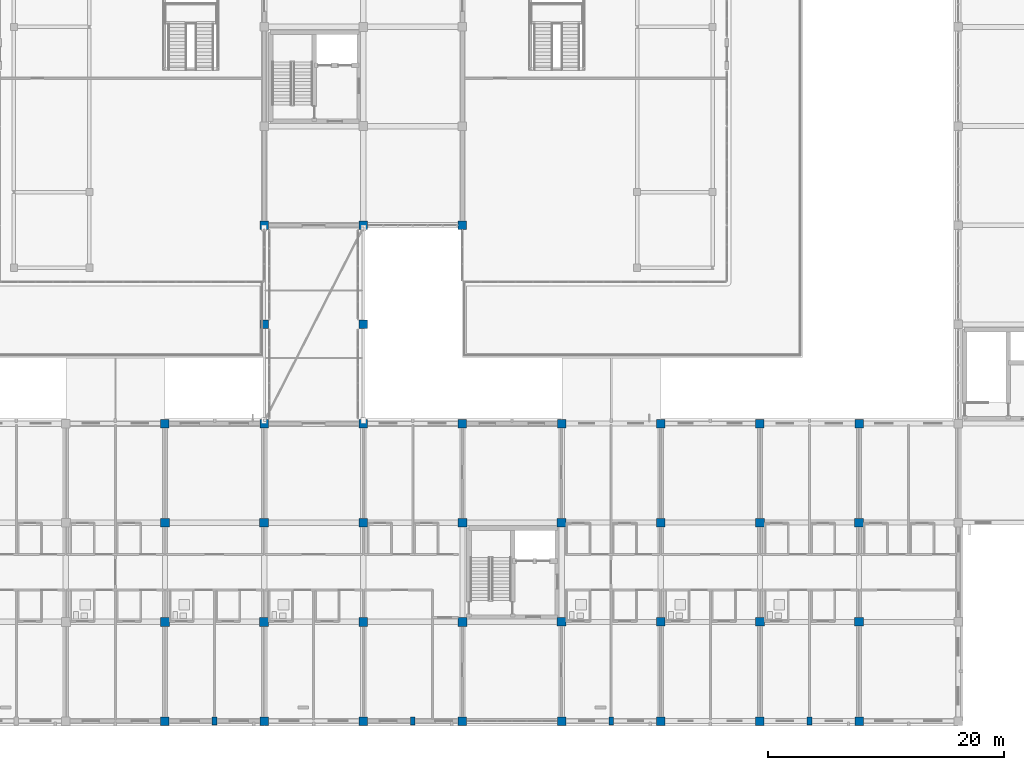
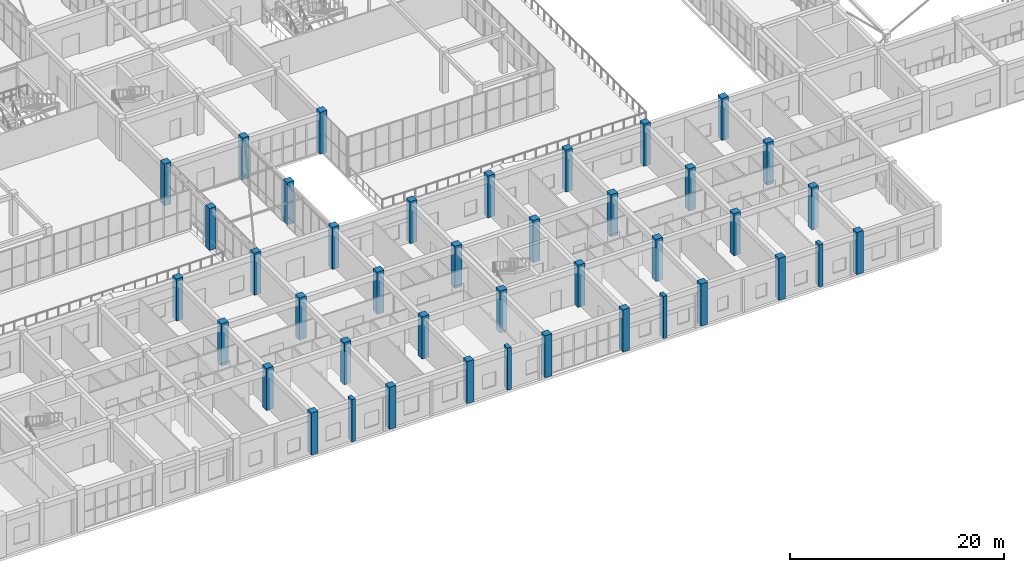
# One storey, part 3 of 158: 41 columns.
"""IFC4 building model written with IfcOpenShell, lengths in metres."""

from ifc_helpers import new_model, si_unit, direction, frame, origin, origin_2d, place, context, subcontext, project, spatial, rectangle, extrude, material, material_profile, profile_set, type_object, element, save


model = new_model("IFC4")

# Units and contexts
model_context = context("Model", 3, precision=1e-05, world=origin(), true_north=direction((0.0, 1.0)))
body_context = subcontext(model_context, "Body", "Model", "MODEL_VIEW")
ifc_project = project(units=[si_unit("LENGTHUNIT", "METRE"), si_unit("AREAUNIT", "SQUARE_METRE"), si_unit("VOLUMEUNIT", "CUBIC_METRE"), si_unit("PLANEANGLEUNIT", "RADIAN"), si_unit("MASSUNIT", "GRAM", prefix="KILO")], contexts=[model_context])

# Site, building, storey
site_placement = place(None, origin())
site = spatial("IfcSite", under=ifc_project, at=site_placement, CompositionType="ELEMENT")
building_placement = place(site_placement, origin())
building = spatial("IfcBuilding", under=site, at=building_placement, Name="Trelvath General Hospital", CompositionType="ELEMENT")
storey_placement = place(building_placement, frame((0.0, 0.0, 8.10009765625)))
storey = spatial("IfcBuildingStorey", under=building, at=storey_placement, Name="L02", CompositionType="ELEMENT", Elevation=8.10009765625)

# Columns
ifc_material_1 = material(Name="Concrete C40/50", Category="concrete")
ifc_material_profile_1 = material_profile(ifc_material_1, rectangle(XDim=0.719970703125, YDim=0.719970703125, at=origin_2d()), Name="RC720x720")
ifc_profile_set_1 = profile_set([ifc_material_profile_1], Name="Concrete C40/50")
column_type_1 = type_object("IfcColumnType", Name="Column RC720", PredefinedType="COLUMN", material=ifc_profile_set_1)
for number, where, z_axis, x_axis, name in (
    (1, (67.199951171875, 0.0, 0.0), (0.0, 0.0, 1.0), (1.0, 0.0, 0.0), "Column C-9A L02"),
    (2, (67.199951171875, 25.199951171875, 0.0), (0.0, 0.0, 1.0), (1.0, 0.0, 0.0), "Column C-9D L02"),
    (3, (75.60009765625, 0.0, 0.0), (0.0, 0.0, 1.0), (1.0, 0.0, 0.0), "Column C-10A L02"),
    (4, (75.60009765625, 25.199951171875, 0.0), (0.0, 0.0, 1.0), (1.0, 0.0, 0.0), "Column C-10D L02"),
    (5, (75.60009765625, 33.60009765625, 0.0), (0.0, 0.0, 1.0), (1.0, 0.0, 0.0), "Column C-10E L02"),
    (6, (75.60009765625, 42.0, 0.0), (0.0, 0.0, 1.0), (1.0, 0.0, 0.0), "Column C-10F L02"),
    (7, (84.0, 0.0, 0.0), (0.0, 0.0, 1.0), (1.0, 0.0, 0.0), "Column C-11A L02"),
    (8, (84.0, 25.199951171875, 0.0), (0.0, 0.0, 1.0), (1.0, 0.0, 0.0), "Column C-11D L02"),
    (9, (84.0, 33.60009765625, 0.0), (0.0, 0.0, 1.0), (1.0, 0.0, 0.0), "Column C-11E L02"),
    (10, (84.0, 42.0, 0.0), (0.0, 0.0, 1.0), (1.0, 0.0, 0.0), "Column C-11F L02"),
    (11, (92.39990234375, 0.0, 0.0), (0.0, 0.0, 1.0), (1.0, 0.0, 0.0), "Column C-12A L02"),
    (12, (92.39990234375, 25.199951171875, 0.0), (0.0, 0.0, 1.0), (1.0, 0.0, 0.0), "Column C-12D L02"),
    (13, (92.39990234375, 42.0, 0.0), (0.0, 0.0, 1.0), (1.0, 0.0, 0.0), "Column C-12F L02"),
    (14, (100.800048828125, 0.0, 0.0), (0.0, 0.0, 1.0), (1.0, 0.0, 0.0), "Column C-13A L02"),
    (15, (100.800048828125, 25.199951171875, 0.0), (0.0, 0.0, 1.0), (1.0, 0.0, 0.0), "Column C-13D L02"),
    (16, (109.199951171875, 0.0, 0.0), (0.0, 0.0, 1.0), (1.0, 0.0, 0.0), "Column C-14A L02"),
    (17, (109.199951171875, 25.199951171875, 0.0), (0.0, 0.0, 1.0), (1.0, 0.0, 0.0), "Column C-14D L02"),
    (18, (117.60009765625, 0.0, 0.0), (0.0, 0.0, 1.0), (1.0, 0.0, 0.0), "Column C-15A L02"),
    (19, (117.60009765625, 25.199951171875, 0.0), (0.0, 0.0, 1.0), (1.0, 0.0, 0.0), "Column C-15D L02"),
    (20, (126.0, 0.0, 0.0), (0.0, 0.0, 1.0), (1.0, 0.0, 0.0), "Column C-16A L02"),
    (21, (126.0, 25.199951171875, 0.0), (0.0, 0.0, 1.0), (1.0, 0.0, 0.0), "Column C-16D L02"),
):
    element("IfcColumn", number, at=place(storey_placement, frame(where, z_axis=z_axis, x_axis=x_axis)), inside=storey, type_object=column_type_1, Name=name, PredefinedType="COLUMN", context=body_context, shape_type="SweptSolid", body=[
        extrude(rectangle(XDim=0.719970703125, YDim=0.719970703125, at=origin_2d()), origin(), (0.0, 0.0, 1.0), 4.7998046875),
    ])
ifc_material_2 = material(Name="Concrete C40/50", Category="concrete")
ifc_material_profile_2 = material_profile(ifc_material_2, rectangle(XDim=0.739990234375, YDim=0.739990234375, at=origin_2d()), Name="RC740x740")
ifc_profile_set_2 = profile_set([ifc_material_profile_2], Name="Concrete C40/50")
column_type_2 = type_object("IfcColumnType", Name="Column RC740", PredefinedType="COLUMN", material=ifc_profile_set_2)
for number, where, z_axis, x_axis, name in (
    (22, (100.800048828125, 8.39990234375, 0.0), (0.0, 0.0, 1.0), (1.0, 0.0, 0.0), "Column C-13B L02"),
    (23, (100.800048828125, 16.800048828125, 0.0), (0.0, 0.0, 1.0), (1.0, 0.0, 0.0), "Column C-13C L02"),
    (24, (109.199951171875, 8.39990234375, 0.0), (0.0, 0.0, 1.0), (1.0, 0.0, 0.0), "Column C-14B L02"),
    (25, (109.199951171875, 16.800048828125, 0.0), (0.0, 0.0, 1.0), (1.0, 0.0, 0.0), "Column C-14C L02"),
    (26, (117.60009765625, 8.39990234375, 0.0), (0.0, 0.0, 1.0), (1.0, 0.0, 0.0), "Column C-15B L02"),
    (27, (117.60009765625, 16.800048828125, 0.0), (0.0, 0.0, 1.0), (1.0, 0.0, 0.0), "Column C-15C L02"),
    (28, (126.0, 8.39990234375, 0.0), (0.0, 0.0, 1.0), (1.0, 0.0, 0.0), "Column C-16B L02"),
    (29, (126.0, 16.800048828125, 0.0), (0.0, 0.0, 1.0), (1.0, 0.0, 0.0), "Column C-16C L02"),
):
    element("IfcColumn", number, at=place(storey_placement, frame(where, z_axis=z_axis, x_axis=x_axis)), inside=storey, type_object=column_type_2, Name=name, PredefinedType="COLUMN", context=body_context, shape_type="SweptSolid", body=[
        extrude(rectangle(XDim=0.739990234375, YDim=0.739990234375, at=origin_2d()), origin(), (0.0, 0.0, 1.0), 4.7998046875),
    ])
ifc_material_3 = material(Name="Concrete C40/50", Category="concrete")
ifc_material_profile_3 = material_profile(ifc_material_3, rectangle(XDim=0.75, YDim=0.75, at=origin_2d()), Name="RC750x750")
ifc_profile_set_3 = profile_set([ifc_material_profile_3], Name="Concrete C40/50")
column_type_3 = type_object("IfcColumnType", Name="Column RC750", PredefinedType="COLUMN", material=ifc_profile_set_3)
for number, where, z_axis, x_axis, name in (
    (30, (67.199951171875, 8.39990234375, 0.0), (0.0, 0.0, 1.0), (1.0, 0.0, 0.0), "Column C-9B L02"),
    (31, (67.199951171875, 16.800048828125, 0.0), (0.0, 0.0, 1.0), (1.0, 0.0, 0.0), "Column C-9C L02"),
    (32, (75.60009765625, 8.39990234375, 0.0), (0.0, 0.0, 1.0), (1.0, 0.0, 0.0), "Column C-10B L02"),
    (33, (75.60009765625, 16.800048828125, 0.0), (0.0, 0.0, 1.0), (1.0, 0.0, 0.0), "Column C-10C L02"),
    (34, (84.0, 8.39990234375, 0.0), (0.0, 0.0, 1.0), (1.0, 0.0, 0.0), "Column C-11B L02"),
    (35, (84.0, 16.800048828125, 0.0), (0.0, 0.0, 1.0), (1.0, 0.0, 0.0), "Column C-11C L02"),
    (36, (92.39990234375, 8.39990234375, 0.0), (0.0, 0.0, 1.0), (1.0, 0.0, 0.0), "Column C-12B L02"),
    (37, (92.39990234375, 16.800048828125, 0.0), (0.0, 0.0, 1.0), (1.0, 0.0, 0.0), "Column C-12C L02"),
):
    element("IfcColumn", number, at=place(storey_placement, frame(where, z_axis=z_axis, x_axis=x_axis)), inside=storey, type_object=column_type_3, Name=name, PredefinedType="COLUMN", context=body_context, shape_type="SweptSolid", body=[
        extrude(rectangle(XDim=0.75, YDim=0.75, at=origin_2d()), origin(), (0.0, 0.0, 1.0), 4.7998046875),
    ])
ifc_material_4 = material(Name="Concrete C40/50", Category="concrete")
ifc_material_profile_4 = material_profile(ifc_material_4, rectangle(XDim=0.39990234375, YDim=0.699951171875, at=origin_2d()), Name="RC400x700")
ifc_profile_set_4 = profile_set([ifc_material_profile_4], Name="Concrete C40/50")
column_type_4 = type_object("IfcColumnType", Name="Pilaster RC400x700", PredefinedType="PILASTER", material=ifc_profile_set_4)
for number, where, z_axis, x_axis, name in (
    (38, (71.39990234375, 0.0, 0.0), (0.0, 0.0, 1.0), (1.0, 0.0, 0.0), "Facade Pilaster PL-S08 L02"),
    (39, (88.199951171875, 0.0, 0.0), (0.0, 0.0, 1.0), (1.0, 0.0, 0.0), "Facade Pilaster PL-S10 L02"),
    (40, (105.0, 0.0, 0.0), (0.0, 0.0, 1.0), (1.0, 0.0, 0.0), "Facade Pilaster PL-S12 L02"),
    (41, (121.800048828125, 0.0, 0.0), (0.0, 0.0, 1.0), (1.0, 0.0, 0.0), "Facade Pilaster PL-S14 L02"),
):
    element("IfcColumn", number, at=place(storey_placement, frame(where, z_axis=z_axis, x_axis=x_axis)), inside=storey, type_object=column_type_4, Name=name, PredefinedType="PILASTER", context=body_context, shape_type="SweptSolid", body=[
        extrude(rectangle(XDim=0.39990234375, YDim=0.699951171875, at=origin_2d()), origin(), (0.0, 0.0, 1.0), 4.7998046875),
    ])

save(model, "model.ifc")
